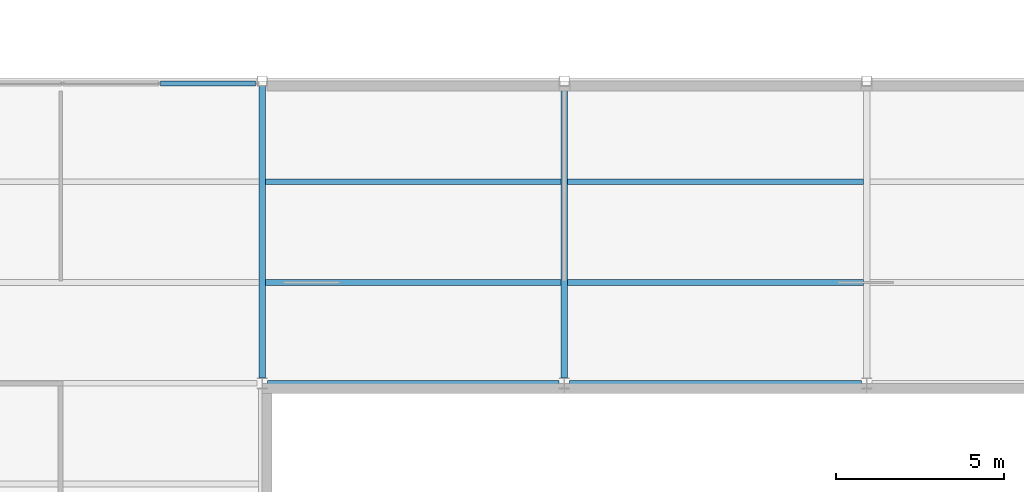
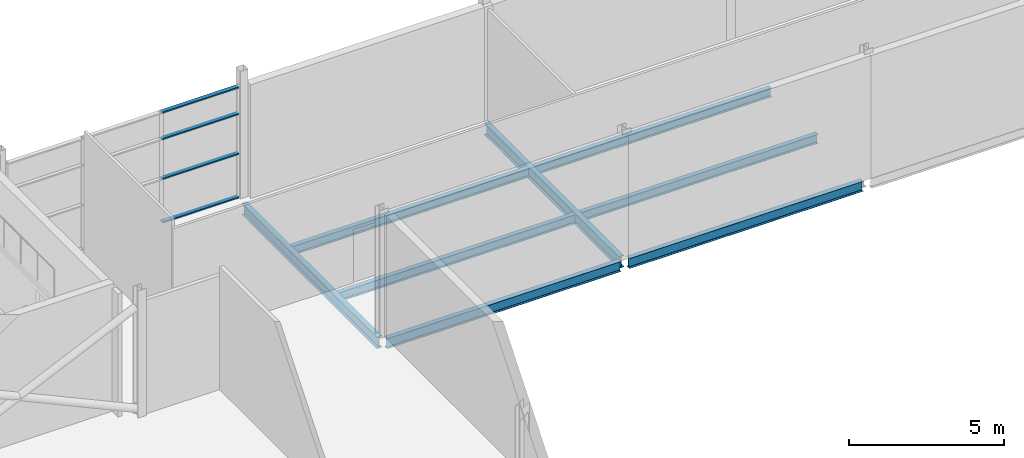
# One storey, part 32 of 112: 8 beams, 4 members, 1 element without a shape of its own.
"""IFC4 building model written with IfcOpenShell, lengths in metres."""

from ifc_helpers import new_model, si_unit, direction, frame, origin, origin_2d, place, context, subcontext, project, spatial, hollow_rectangle, i_section, extrude, material, layer, layer_set, material_profile, profile_set, type_object, element, aggregate, save


model = new_model("IFC4")

# Units and contexts
model_context = context("Model", 3, precision=1e-05, world=origin(), true_north=direction((0.0, 1.0)))
body_context = subcontext(model_context, "Body", "Model", "MODEL_VIEW")
ifc_project = project(units=[si_unit("LENGTHUNIT", "METRE"), si_unit("AREAUNIT", "SQUARE_METRE"), si_unit("VOLUMEUNIT", "CUBIC_METRE"), si_unit("PLANEANGLEUNIT", "RADIAN"), si_unit("MASSUNIT", "GRAM", prefix="KILO")], contexts=[model_context])

# Site, building, storey
site_placement = place(None, origin())
site = spatial("IfcSite", under=ifc_project, at=site_placement, CompositionType="ELEMENT")
building_placement = place(site_placement, origin())
building = spatial("IfcBuilding", under=site, at=building_placement, Name="Shorebreak Coast Museum", CompositionType="ELEMENT")
storey_placement = place(building_placement, frame((0.0, 0.0, 6.0)))
storey = spatial("IfcBuildingStorey", under=building, at=storey_placement, Name="L01", CompositionType="ELEMENT", Elevation=6.0)

# Beams
ifc_material_1 = material(Name="Steel Grade 300", Category="steel")
ifc_material_profile_1 = material_profile(ifc_material_1, i_section(OverallWidth=0.177978515625, OverallDepth=0.402587890625, WebThickness=0.007568359375, FlangeThickness=0.010986328125, FilletRadius=0.011474609375, at=origin_2d()), Name="410UB53.7")
ifc_profile_set_1 = profile_set([ifc_material_profile_1], Name="Steel Grade 300")
beam_type_1 = type_object("IfcBeamType", Name="Floor girder east-west 410UB53.7", PredefinedType="BEAM", material=ifc_profile_set_1)
for number, where, z_axis, x_axis, name in (
    (1, (18.155517578125, 81.0, -0.376220703125), (1.0, 0.0, 0.0), (0.0, 1.0, 0.0), "Floor girder east-west L01 3K"),
    (2, (27.155517578125, 81.0, -0.376220703125), (1.0, 0.0, 0.0), (0.0, 1.0, 0.0), "Floor girder east-west L01 4K"),
):
    element("IfcBeam", number, at=place(storey_placement, frame(where, z_axis=z_axis, x_axis=x_axis)), inside=storey, type_object=beam_type_1, Name=name, PredefinedType="BEAM", context=body_context, shape_type="SweptSolid", body=[
        extrude(i_section(OverallWidth=0.177978515625, OverallDepth=0.402587890625, WebThickness=0.007568359375, FlangeThickness=0.010986328125, FilletRadius=0.011474609375, at=origin_2d()), origin(), (0.0, 0.0, 1.0), 8.68896484375),
    ])
ifc_material_2 = material(Name="Steel Grade 300", Category="steel")
ifc_material_profile_2 = material_profile(ifc_material_2, i_section(OverallWidth=0.19091796875, OverallDepth=0.46044921875, WebThickness=0.010009765625, FlangeThickness=0.01611328125, FilletRadius=0.011474609375, at=origin_2d()), Name="460UB82.1")
ifc_profile_set_2 = profile_set([ifc_material_profile_2], Name="Steel Grade 300")
beam_type_2 = type_object("IfcBeamType", Name="Floor girder north-south 460UB82.1", PredefinedType="BEAM", material=ifc_profile_set_2)
for number, where, z_axis, x_axis, name in (
    (3, (18.0, 81.16357421875, -0.4052734375), (0.0, 1.0, 0.0), (-1.0, 0.0, 0.0), "Floor girder north-south L01 3K"),
    (4, (27.0, 81.16357421875, -0.4052734375), (0.0, 1.0, 0.0), (-1.0, 0.0, 0.0), "Floor girder north-south L01 4K"),
):
    element("IfcBeam", number, at=place(storey_placement, frame(where, z_axis=z_axis, x_axis=x_axis)), inside=storey, type_object=beam_type_2, Name=name, PredefinedType="BEAM", context=body_context, shape_type="SweptSolid", body=[
        extrude(i_section(OverallWidth=0.19091796875, OverallDepth=0.46044921875, WebThickness=0.010009765625, FlangeThickness=0.01611328125, FilletRadius=0.011474609375, at=origin_2d()), origin(), (0.0, 0.0, 1.0), 8.6865234375),
    ])
ifc_material_3 = material(Name="Steel Grade 300", Category="steel")
ifc_material_profile_3 = material_profile(ifc_material_3, i_section(OverallWidth=0.1708984375, OverallDepth=0.355712890625, WebThickness=0.00732421875, FlangeThickness=0.011474609375, FilletRadius=0.011474609375, at=origin_2d()), Name="360UB50.7")
ifc_profile_set_3 = profile_set([ifc_material_profile_3], Name="Steel Grade 300")
beam_type_3 = type_object("IfcBeamType", Name="Floor joist 360UB50.7", PredefinedType="JOIST", material=ifc_profile_set_3)
for number, where, z_axis, x_axis, name in (
    (5, (18.095458984375, 84.0, -0.352783203125), (1.0, 0.0, 0.0), (0.0, 1.0, 0.0), "Floor joist L01 bay 3K at 3000 mm"),
    (6, (18.095458984375, 87.0, -0.352783203125), (1.0, 0.0, 0.0), (0.0, 1.0, 0.0), "Floor joist L01 bay 3K at 6000 mm"),
    (7, (27.095458984375, 84.0, -0.352783203125), (1.0, 0.0, 0.0), (0.0, 1.0, 0.0), "Floor joist L01 bay 4K at 3000 mm"),
    (8, (27.095458984375, 87.0, -0.352783203125), (1.0, 0.0, 0.0), (0.0, 1.0, 0.0), "Floor joist L01 bay 4K at 6000 mm"),
):
    element("IfcBeam", number, at=place(storey_placement, frame(where, z_axis=z_axis, x_axis=x_axis)), inside=storey, type_object=beam_type_3, Name=name, PredefinedType="JOIST", context=body_context, shape_type="SweptSolid", body=[
        extrude(i_section(OverallWidth=0.1708984375, OverallDepth=0.355712890625, WebThickness=0.00732421875, FlangeThickness=0.011474609375, FilletRadius=0.011474609375, at=origin_2d()), origin(), (0.0, 0.0, 1.0), 8.80908203125),
    ])

# Curtain wall, members
ifc_material_4 = material(Name="Aluminium", Category="aluminium")
ifc_layer = layer(ifc_material_4, 0.14990234375)
ifc_layer_set = layer_set([ifc_layer], Name="Aluminium")
curtain_wall_type = type_object("IfcCurtainWallType", Name="Storefront curtain wall", PredefinedType="NOTDEFINED", material=ifc_layer_set)
curtain_wall_placement = place(storey_placement, origin())
curtain_wall = element("IfcCurtainWall", 9, at=curtain_wall_placement, inside=storey, type_object=curtain_wall_type, Name="Storefront L01 N 12", PredefinedType="NOTDEFINED")
ifc_material_5 = material(Name="Aluminium", Category="aluminium")
ifc_material_profile_4 = material_profile(ifc_material_5, hollow_rectangle(XDim=0.14990234375, YDim=0.050048828125, WallThickness=0.00390625, at=origin_2d()), Name="AL 50x150 RHS")
ifc_profile_set_4 = profile_set([ifc_material_profile_4], Name="Aluminium")
member_type = type_object("IfcMemberType", Name="Storefront transom 150 x 50", PredefinedType="USERDEFINED", material=ifc_profile_set_4)
member_1_placement = place(storey_placement, frame((14.97509765625, 89.925048828125, 0.074951171875), z_axis=(1.0, 0.0, 0.0), x_axis=(0.0, 1.0, 0.0)))
member_1 = element("IfcMember", 10, at=member_1_placement, type_object=member_type, Name="CW8 transom 3.1", ObjectType="TRANSOM", PredefinedType="USERDEFINED", context=body_context, shape_type="SweptSolid", body=[
    extrude(hollow_rectangle(XDim=0.14990234375, YDim=0.050048828125, WallThickness=0.00390625, at=origin_2d()), origin(), (0.0, 0.0, 1.0), 2.824951171875),
])
member_2_placement = place(storey_placement, frame((14.97509765625, 89.925048828125, 1.787841796875), z_axis=(1.0, 0.0, 0.0), x_axis=(0.0, 1.0, 0.0)))
member_2 = element("IfcMember", 11, at=member_2_placement, type_object=member_type, Name="CW8 transom 3.2", ObjectType="TRANSOM", PredefinedType="USERDEFINED", context=body_context, shape_type="SweptSolid", body=[
    extrude(hollow_rectangle(XDim=0.14990234375, YDim=0.050048828125, WallThickness=0.00390625, at=origin_2d()), origin(), (0.0, 0.0, 1.0), 2.824951171875),
])
member_3_placement = place(storey_placement, frame((14.97509765625, 89.925048828125, 3.35205078125), z_axis=(1.0, 0.0, 0.0), x_axis=(0.0, 1.0, 0.0)))
member_3 = element("IfcMember", 12, at=member_3_placement, type_object=member_type, Name="CW8 transom 3.3", ObjectType="TRANSOM", PredefinedType="USERDEFINED", context=body_context, shape_type="SweptSolid", body=[
    extrude(hollow_rectangle(XDim=0.14990234375, YDim=0.050048828125, WallThickness=0.00390625, at=origin_2d()), origin(), (0.0, 0.0, 1.0), 2.824951171875),
])
member_4_placement = place(storey_placement, frame((14.97509765625, 89.925048828125, 4.394287109375), z_axis=(1.0, 0.0, 0.0), x_axis=(0.0, 1.0, 0.0)))
member_4 = element("IfcMember", 13, at=member_4_placement, type_object=member_type, Name="CW8 transom 3.4", ObjectType="TRANSOM", PredefinedType="USERDEFINED", context=body_context, shape_type="SweptSolid", body=[
    extrude(hollow_rectangle(XDim=0.14990234375, YDim=0.050048828125, WallThickness=0.00390625, at=origin_2d()), origin(), (0.0, 0.0, 1.0), 2.824951171875),
])
aggregate(curtain_wall, [member_1, member_2, member_3, member_4])

save(model, "model.ifc")
